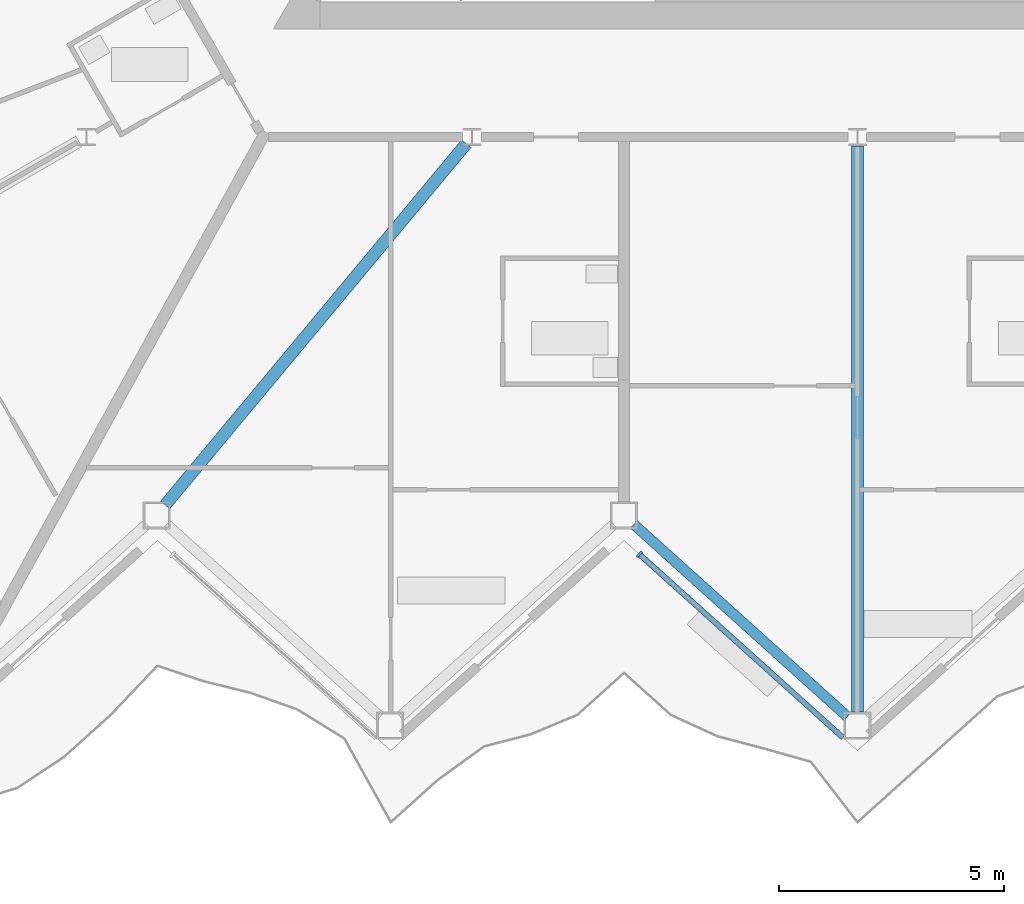
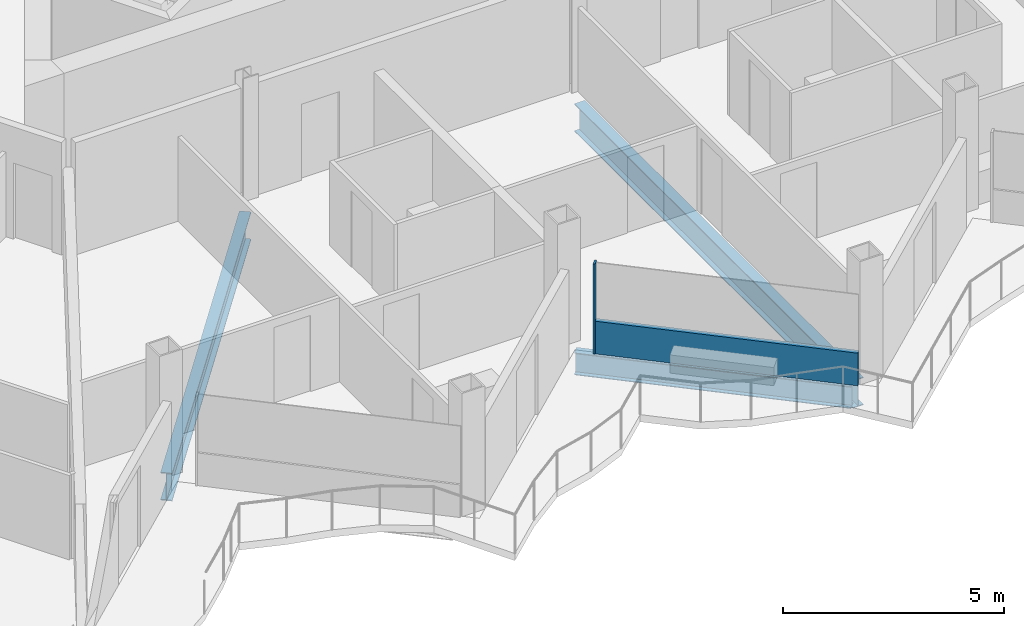
# One storey, part 5 of 27: 3 beams, 2 members, 1 element without a shape of its own.
"""IFC4 building model written with IfcOpenShell, lengths in metres."""

from ifc_helpers import new_model, si_unit, direction, frame, origin, origin_2d, place, context, subcontext, project, spatial, rectangle, i_section, extrude, material, layer, layer_set, material_profile, profile_set, type_object, element, aggregate, save


model = new_model("IFC4")

# Units and contexts
model_context = context("Model", 3, precision=1e-05, world=origin(), true_north=direction((0.0, 1.0)))
body_context = subcontext(model_context, "Body", "Model", "MODEL_VIEW")
ifc_project = project(units=[si_unit("LENGTHUNIT", "METRE"), si_unit("AREAUNIT", "SQUARE_METRE"), si_unit("VOLUMEUNIT", "CUBIC_METRE"), si_unit("PLANEANGLEUNIT", "RADIAN"), si_unit("MASSUNIT", "GRAM", prefix="KILO")], contexts=[model_context])

# Site, building, storey
site_placement = place(None, origin())
site = spatial("IfcSite", under=ifc_project, at=site_placement, CompositionType="ELEMENT")
building_placement = place(site_placement, origin())
building = spatial("IfcBuilding", under=site, at=building_placement, Name="Cormorant Prow Tower", CompositionType="ELEMENT")
storey_placement = place(building_placement, frame((0.0, 0.0, 312.0)))
storey = spatial("IfcBuildingStorey", under=building, at=storey_placement, Name="L68", CompositionType="ELEMENT", Elevation=312.0)

# Beams
ifc_material_1 = material(Name="Structural steel ASTM A992 Gr 50", Category="steel")
ifc_material_profile_1 = material_profile(ifc_material_1, i_section(OverallWidth=0.267822265625, OverallDepth=0.77001953125, WebThickness=0.015625, FlangeThickness=0.025390625, at=origin_2d()), Name="W30x132")
ifc_profile_set_1 = profile_set([ifc_material_profile_1], Name="Structural steel ASTM A992 Gr 50")
beam_type_1 = type_object("IfcBeamType", Name="Radial floor beam W30x132", PredefinedType="BEAM", material=ifc_profile_set_1)
beam_1_placement = place(storey_placement, frame((-8.705078125, -10.057373046875, -0.68505859375), z_axis=(-0.640239469619, -0.768175384624, 0.0), x_axis=(0.768175384624, -0.640239469619, 0.0)))
element("IfcBeam", 1, at=beam_1_placement, inside=storey, type_object=beam_type_1, Name="Radial floor beam FB3 6 L68", PredefinedType="BEAM", context=body_context, shape_type="SweptSolid", body=[
    extrude(i_section(OverallWidth=0.267822265625, OverallDepth=0.77001953125, WebThickness=0.015625, FlangeThickness=0.025390625, at=origin_2d()), origin(), (0.0, 0.0, 1.0), 10.465087890625),
])
beam_2_placement = place(storey_placement, frame((0.0, -10.103271484375, -0.68505859375), z_axis=(0.0, -1.0, 0.0), x_axis=(1.0, 0.0, 0.0)))
element("IfcBeam", 2, at=beam_2_placement, inside=storey, type_object=beam_type_1, Name="Radial floor beam FB3 7 L68", PredefinedType="BEAM", context=body_context, shape_type="SweptSolid", body=[
    extrude(i_section(OverallWidth=0.267822265625, OverallDepth=0.77001953125, WebThickness=0.015625, FlangeThickness=0.025390625, at=origin_2d()), origin(), (0.0, 0.0, 1.0), 12.604736328125),
])

# Curtain wall, members
ifc_material_2 = material(Name="Aluminium 6063-T6", Category="aluminium")
ifc_layer = layer(ifc_material_2, 0.159912109375)
ifc_layer_set = layer_set([ifc_layer], Name="Aluminium 6063-T6")
curtain_wall_type = type_object("IfcCurtainWallType", Name="Residential unitised curtain wall 160", PredefinedType="NOTDEFINED", material=ifc_layer_set)
curtain_wall_placement = place(storey_placement, origin())
curtain_wall = element("IfcCurtainWall", 3, at=curtain_wall_placement, inside=storey, type_object=curtain_wall_type, Name="Residential curtain wall S04", PredefinedType="NOTDEFINED")
ifc_material_3 = material(Name="Aluminium 6063-T6", Category="aluminium")
ifc_material_profile_2 = material_profile(ifc_material_3, rectangle(XDim=0.159912109375, YDim=0.050048828125, at=origin_2d()), Name="Residential mullion 50x160")
ifc_profile_set_2 = profile_set([ifc_material_profile_2], Name="Aluminium 6063-T6")
member_type_1 = type_object("IfcMemberType", Name="Residential mullion 50x160", PredefinedType="MULLION", material=ifc_profile_set_2)
member_1_placement = place(storey_placement, frame((-4.851806640625, -19.193603515625, 0.0), z_axis=(0.0, 0.0, 1.0), x_axis=(0.669130619757, 0.743144813413, 0.0)))
member_1 = element("IfcMember", 4, at=member_1_placement, type_object=member_type_1, Name="Residential mullion S04", PredefinedType="MULLION", context=body_context, shape_type="SweptSolid", body=[
    extrude(rectangle(XDim=0.159912109375, YDim=0.050048828125, at=origin_2d()), origin(), (0.0, 0.0, 1.0), 2.48779296875),
])
ifc_material_4 = material(Name="Terracotta", Category="masonry")
ifc_material_profile_3 = material_profile(ifc_material_4, rectangle(XDim=0.1201171875, YDim=0.89990234375, at=origin_2d()), Name="Residential terracotta spandrel rail 120x900")
ifc_profile_set_3 = profile_set([ifc_material_profile_3], Name="Terracotta")
member_type_2 = type_object("IfcMemberType", Name="Residential terracotta spandrel rail 120x900", PredefinedType="USERDEFINED", material=ifc_profile_set_3)
member_2_placement = place(storey_placement, frame((-4.833251953125, -19.21044921875, 0.449951171875), z_axis=(0.743162128872, -0.669111388492, 0.0), x_axis=(0.669111388492, 0.743162128872, 0.0)))
member_2 = element("IfcMember", 5, at=member_2_placement, type_object=member_type_2, Name="Residential spandrel rail S04", ObjectType="TRANSOM", PredefinedType="USERDEFINED", context=body_context, shape_type="SweptSolid", body=[
    extrude(rectangle(XDim=0.1201171875, YDim=0.89990234375, at=origin_2d()), origin(), (0.0, 0.0, 1.0), 6.069580078125),
])
aggregate(curtain_wall, [member_1, member_2])

# Beam
ifc_material_5 = material(Name="Structural steel ASTM A992 Gr 50", Category="steel")
ifc_material_profile_4 = material_profile(ifc_material_5, i_section(OverallWidth=0.22900390625, OverallDepth=0.612060546875, WebThickness=0.011962890625, FlangeThickness=0.01953125, at=origin_2d()), Name="W24x84")
ifc_profile_set_4 = profile_set([ifc_material_profile_4], Name="Structural steel ASTM A992 Gr 50")
beam_type_2 = type_object("IfcBeamType", Name="Spandrel beam W24x84", PredefinedType="SPANDREL", material=ifc_profile_set_4)
beam_3_placement = place(storey_placement, frame((-4.97607421875, -18.527587890625, -0.60595703125), z_axis=(0.743144186555, -0.669131315954, 0.0), x_axis=(0.669131315954, 0.743144186555, 0.0)))
element("IfcBeam", 6, at=beam_3_placement, inside=storey, type_object=beam_type_2, Name="Spandrel beam SB3 S04-S05 L68", PredefinedType="SPANDREL", context=body_context, shape_type="SweptSolid", body=[
    extrude(i_section(OverallWidth=0.22900390625, OverallDepth=0.612060546875, WebThickness=0.011962890625, FlangeThickness=0.01953125, at=origin_2d()), origin(), (0.0, 0.0, 1.0), 6.39599609375),
])

save(model, "model.ifc")
